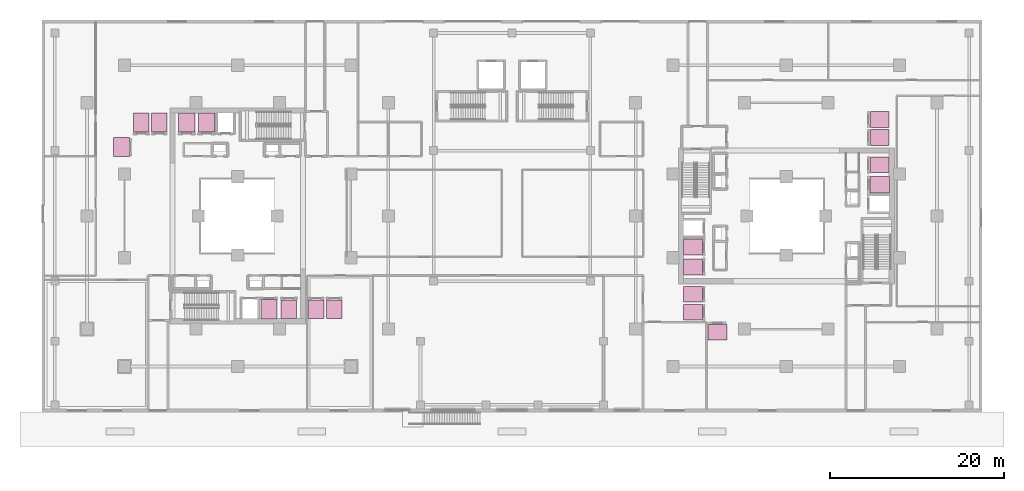
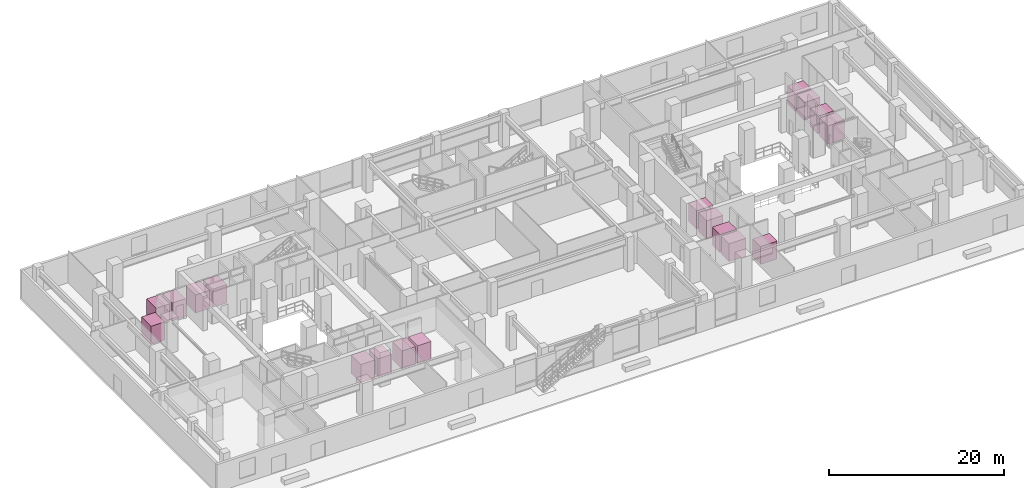
# One storey, part 24 of 24: 18 transport elements.
"""IFC4 building model written with IfcOpenShell, lengths in metres."""

from ifc_helpers import new_model, si_unit, direction, frame, origin, origin_2d, place, context, subcontext, project, spatial, rectangle, extrude, material, type_object, element, save


model = new_model("IFC4")

# Units and contexts
model_context = context("Model", 3, precision=1e-05, world=origin(), true_north=direction((0.0, 1.0)))
body_context = subcontext(model_context, "Body", "Model", "MODEL_VIEW")
ifc_project = project(units=[si_unit("LENGTHUNIT", "METRE"), si_unit("AREAUNIT", "SQUARE_METRE"), si_unit("VOLUMEUNIT", "CUBIC_METRE"), si_unit("PLANEANGLEUNIT", "RADIAN"), si_unit("MASSUNIT", "GRAM", prefix="KILO")], contexts=[model_context])

# Site, building, storey
site_placement = place(None, origin())
site = spatial("IfcSite", under=ifc_project, at=site_placement, CompositionType="ELEMENT")
building_placement = place(site_placement, origin())
building = spatial("IfcBuilding", under=site, at=building_placement, Name="Thornwick Lancets Civic Towers", CompositionType="ELEMENT")
storey_placement = place(building_placement, origin())
storey = spatial("IfcBuildingStorey", under=building, at=storey_placement, Name="L00", CompositionType="ELEMENT", Elevation=0.0)

# Transport elements
ifc_material = material(Name="Bronze and timber cab steel S355", Category="steel")
transport_element_type_1 = type_object("IfcTransportElementType", Name="LIFT_PASS_HIGH", PredefinedType="ELEVATOR", material=ifc_material)
transport_element_1_placement = place(storey_placement, frame((29.074951171875, 16.27490234375, 0.0), z_axis=(0.0, 0.0, 1.0), x_axis=(1.0, 0.0, 0.0)))
element("IfcTransportElement", 1, at=transport_element_1_placement, inside=storey, type_object=transport_element_type_1, Name="Elevator PL-AH1", PredefinedType="ELEVATOR", context=body_context, shape_type="SweptSolid", body=[
    extrude(rectangle(XDim=1.85009765625, YDim=2.199951171875, at=origin_2d()), origin(), (0.0, 0.0, 1.0), 2.550048828125),
])
transport_element_2_placement = place(storey_placement, frame((99.22509765625, 30.574951171875, 0.0), z_axis=(0.0, 0.0, 1.0), x_axis=(1.0, 0.0, 0.0)))
element("IfcTransportElement", 2, at=transport_element_2_placement, inside=storey, type_object=transport_element_type_1, Name="Elevator PL-BH1", PredefinedType="ELEVATOR", context=body_context, shape_type="SweptSolid", body=[
    extrude(rectangle(XDim=2.199951171875, YDim=1.85009765625, at=origin_2d()), origin(), (0.0, 0.0, 1.0), 2.550048828125),
])
transport_element_3_placement = place(storey_placement, frame((21.925048828125, 37.72509765625, 0.0), z_axis=(0.0, 0.0, 1.0), x_axis=(1.0, 0.0, 0.0)))
element("IfcTransportElement", 3, at=transport_element_3_placement, inside=storey, type_object=transport_element_type_1, Name="Elevator PL-AH2", PredefinedType="ELEVATOR", context=body_context, shape_type="SweptSolid", body=[
    extrude(rectangle(XDim=1.85009765625, YDim=2.199951171875, at=origin_2d()), origin(), (0.0, 0.0, 1.0), 2.550048828125),
])
transport_element_4_placement = place(storey_placement, frame((77.77490234375, 23.425048828125, 0.0), z_axis=(0.0, 0.0, 1.0), x_axis=(1.0, 0.0, 0.0)))
element("IfcTransportElement", 4, at=transport_element_4_placement, inside=storey, type_object=transport_element_type_1, Name="Elevator PL-BH2", PredefinedType="ELEVATOR", context=body_context, shape_type="SweptSolid", body=[
    extrude(rectangle(XDim=2.199951171875, YDim=1.85009765625, at=origin_2d()), origin(), (0.0, 0.0, 1.0), 2.550048828125),
])
transport_element_5_placement = place(storey_placement, frame((19.64990234375, 37.72509765625, 0.0), z_axis=(0.0, 0.0, 1.0), x_axis=(1.0, 0.0, 0.0)))
element("IfcTransportElement", 5, at=transport_element_5_placement, inside=storey, type_object=transport_element_type_1, Name="Elevator PL-AH3", PredefinedType="ELEVATOR", context=body_context, shape_type="SweptSolid", body=[
    extrude(rectangle(XDim=1.85009765625, YDim=2.199951171875, at=origin_2d()), origin(), (0.0, 0.0, 1.0), 2.550048828125),
])
transport_element_6_placement = place(storey_placement, frame((77.77490234375, 21.14990234375, 0.0), z_axis=(0.0, 0.0, 1.0), x_axis=(1.0, 0.0, 0.0)))
element("IfcTransportElement", 6, at=transport_element_6_placement, inside=storey, type_object=transport_element_type_1, Name="Elevator PL-BH3", PredefinedType="ELEVATOR", context=body_context, shape_type="SweptSolid", body=[
    extrude(rectangle(XDim=2.199951171875, YDim=1.85009765625, at=origin_2d()), origin(), (0.0, 0.0, 1.0), 2.550048828125),
])
transport_element_type_2 = type_object("IfcTransportElementType", Name="LIFT_PASS_LOW", PredefinedType="ELEVATOR", material=ifc_material)
transport_element_7_placement = place(storey_placement, frame((31.375, 16.27490234375, 0.0), z_axis=(0.0, 0.0, 1.0), x_axis=(1.0, 0.0, 0.0)))
element("IfcTransportElement", 7, at=transport_element_7_placement, inside=storey, type_object=transport_element_type_2, Name="Elevator PL-AL1", PredefinedType="ELEVATOR", context=body_context, shape_type="SweptSolid", body=[
    extrude(rectangle(XDim=1.800048828125, YDim=2.10009765625, at=origin_2d()), origin(), (0.0, 0.0, 1.0), 2.5),
])
transport_element_8_placement = place(storey_placement, frame((99.22509765625, 32.875, 0.0), z_axis=(0.0, 0.0, 1.0), x_axis=(1.0, 0.0, 0.0)))
element("IfcTransportElement", 8, at=transport_element_8_placement, inside=storey, type_object=transport_element_type_2, Name="Elevator PL-BL1", PredefinedType="ELEVATOR", context=body_context, shape_type="SweptSolid", body=[
    extrude(rectangle(XDim=2.10009765625, YDim=1.800048828125, at=origin_2d()), origin(), (0.0, 0.0, 1.0), 2.5),
])
transport_element_9_placement = place(storey_placement, frame((34.5, 16.27490234375, 0.0), z_axis=(0.0, 0.0, 1.0), x_axis=(1.0, 0.0, 0.0)))
element("IfcTransportElement", 9, at=transport_element_9_placement, inside=storey, type_object=transport_element_type_2, Name="Elevator PL-AL2", PredefinedType="ELEVATOR", context=body_context, shape_type="SweptSolid", body=[
    extrude(rectangle(XDim=1.800048828125, YDim=2.10009765625, at=origin_2d()), origin(), (0.0, 0.0, 1.0), 2.5),
])
transport_element_10_placement = place(storey_placement, frame((99.22509765625, 36.0, 0.0), z_axis=(0.0, 0.0, 1.0), x_axis=(1.0, 0.0, 0.0)))
element("IfcTransportElement", 10, at=transport_element_10_placement, inside=storey, type_object=transport_element_type_2, Name="Elevator PL-BL2", PredefinedType="ELEVATOR", context=body_context, shape_type="SweptSolid", body=[
    extrude(rectangle(XDim=2.10009765625, YDim=1.800048828125, at=origin_2d()), origin(), (0.0, 0.0, 1.0), 2.5),
])
transport_element_11_placement = place(storey_placement, frame((36.574951171875, 16.27490234375, 0.0), z_axis=(0.0, 0.0, 1.0), x_axis=(1.0, 0.0, 0.0)))
element("IfcTransportElement", 11, at=transport_element_11_placement, inside=storey, type_object=transport_element_type_2, Name="Elevator PL-AL3", PredefinedType="ELEVATOR", context=body_context, shape_type="SweptSolid", body=[
    extrude(rectangle(XDim=1.800048828125, YDim=2.10009765625, at=origin_2d()), origin(), (0.0, 0.0, 1.0), 2.5),
])
transport_element_12_placement = place(storey_placement, frame((99.22509765625, 38.074951171875, 0.0), z_axis=(0.0, 0.0, 1.0), x_axis=(1.0, 0.0, 0.0)))
element("IfcTransportElement", 12, at=transport_element_12_placement, inside=storey, type_object=transport_element_type_2, Name="Elevator PL-BL3", PredefinedType="ELEVATOR", context=body_context, shape_type="SweptSolid", body=[
    extrude(rectangle(XDim=2.10009765625, YDim=1.800048828125, at=origin_2d()), origin(), (0.0, 0.0, 1.0), 2.5),
])
transport_element_type_3 = type_object("IfcTransportElementType", Name="LIFT_PASS_MID", PredefinedType="ELEVATOR", material=ifc_material)
transport_element_13_placement = place(storey_placement, frame((16.5, 37.72509765625, 0.0), z_axis=(0.0, 0.0, 1.0), x_axis=(1.0, 0.0, 0.0)))
element("IfcTransportElement", 13, at=transport_element_13_placement, inside=storey, type_object=transport_element_type_3, Name="Elevator PL-AM1", PredefinedType="ELEVATOR", context=body_context, shape_type="SweptSolid", body=[
    extrude(rectangle(XDim=1.800048828125, YDim=2.199951171875, at=origin_2d()), origin(), (0.0, 0.0, 1.0), 2.5),
])
transport_element_14_placement = place(storey_placement, frame((77.77490234375, 18.0, 0.0), z_axis=(0.0, 0.0, 1.0), x_axis=(1.0, 0.0, 0.0)))
element("IfcTransportElement", 14, at=transport_element_14_placement, inside=storey, type_object=transport_element_type_3, Name="Elevator PL-BM1", PredefinedType="ELEVATOR", context=body_context, shape_type="SweptSolid", body=[
    extrude(rectangle(XDim=2.199951171875, YDim=1.800048828125, at=origin_2d()), origin(), (0.0, 0.0, 1.0), 2.5),
])
transport_element_15_placement = place(storey_placement, frame((14.425048828125, 37.72509765625, 0.0), z_axis=(0.0, 0.0, 1.0), x_axis=(1.0, 0.0, 0.0)))
element("IfcTransportElement", 15, at=transport_element_15_placement, inside=storey, type_object=transport_element_type_3, Name="Elevator PL-AM2", PredefinedType="ELEVATOR", context=body_context, shape_type="SweptSolid", body=[
    extrude(rectangle(XDim=1.800048828125, YDim=2.199951171875, at=origin_2d()), origin(), (0.0, 0.0, 1.0), 2.5),
])
transport_element_16_placement = place(storey_placement, frame((77.77490234375, 15.925048828125, 0.0), z_axis=(0.0, 0.0, 1.0), x_axis=(1.0, 0.0, 0.0)))
element("IfcTransportElement", 16, at=transport_element_16_placement, inside=storey, type_object=transport_element_type_3, Name="Elevator PL-BM2", PredefinedType="ELEVATOR", context=body_context, shape_type="SweptSolid", body=[
    extrude(rectangle(XDim=2.199951171875, YDim=1.800048828125, at=origin_2d()), origin(), (0.0, 0.0, 1.0), 2.5),
])
transport_element_17_placement = place(storey_placement, frame((12.14990234375, 34.89990234375, 0.0), z_axis=(0.0, 0.0, 1.0), x_axis=(1.0, 0.0, 0.0)))
element("IfcTransportElement", 17, at=transport_element_17_placement, inside=storey, type_object=transport_element_type_3, Name="Elevator PL-AM3", PredefinedType="ELEVATOR", context=body_context, shape_type="SweptSolid", body=[
    extrude(rectangle(XDim=1.800048828125, YDim=2.199951171875, at=origin_2d()), origin(), (0.0, 0.0, 1.0), 2.5),
])
transport_element_18_placement = place(storey_placement, frame((80.60009765625, 13.64990234375, 0.0), z_axis=(0.0, 0.0, 1.0), x_axis=(1.0, 0.0, 0.0)))
element("IfcTransportElement", 18, at=transport_element_18_placement, inside=storey, type_object=transport_element_type_3, Name="Elevator PL-BM3", PredefinedType="ELEVATOR", context=body_context, shape_type="SweptSolid", body=[
    extrude(rectangle(XDim=2.199951171875, YDim=1.800048828125, at=origin_2d()), origin(), (0.0, 0.0, 1.0), 2.5),
])

save(model, "model.ifc")
